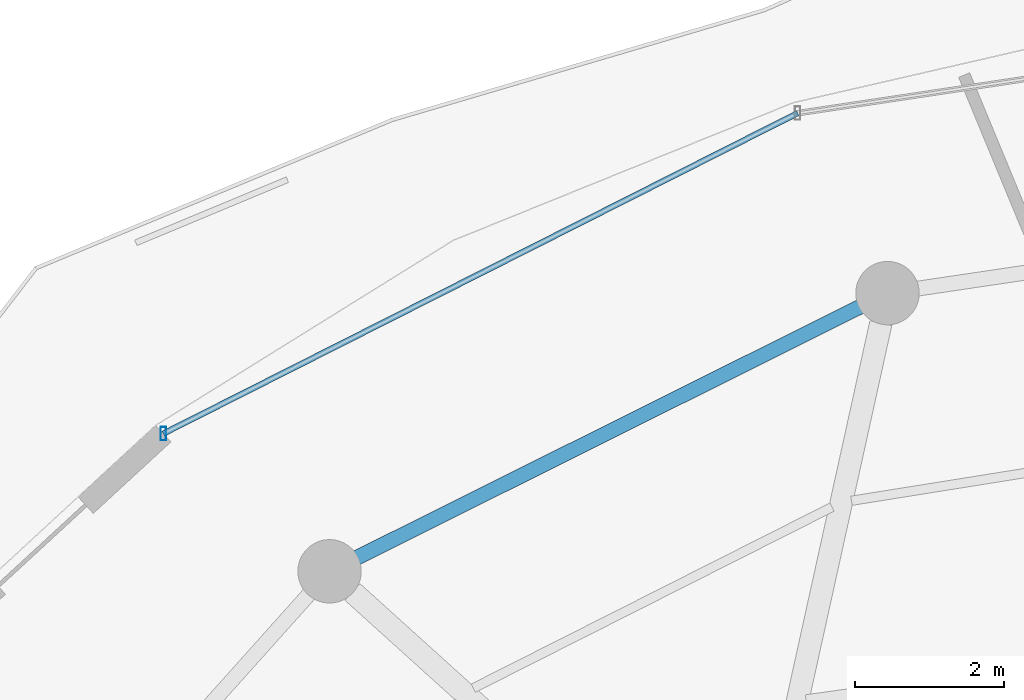
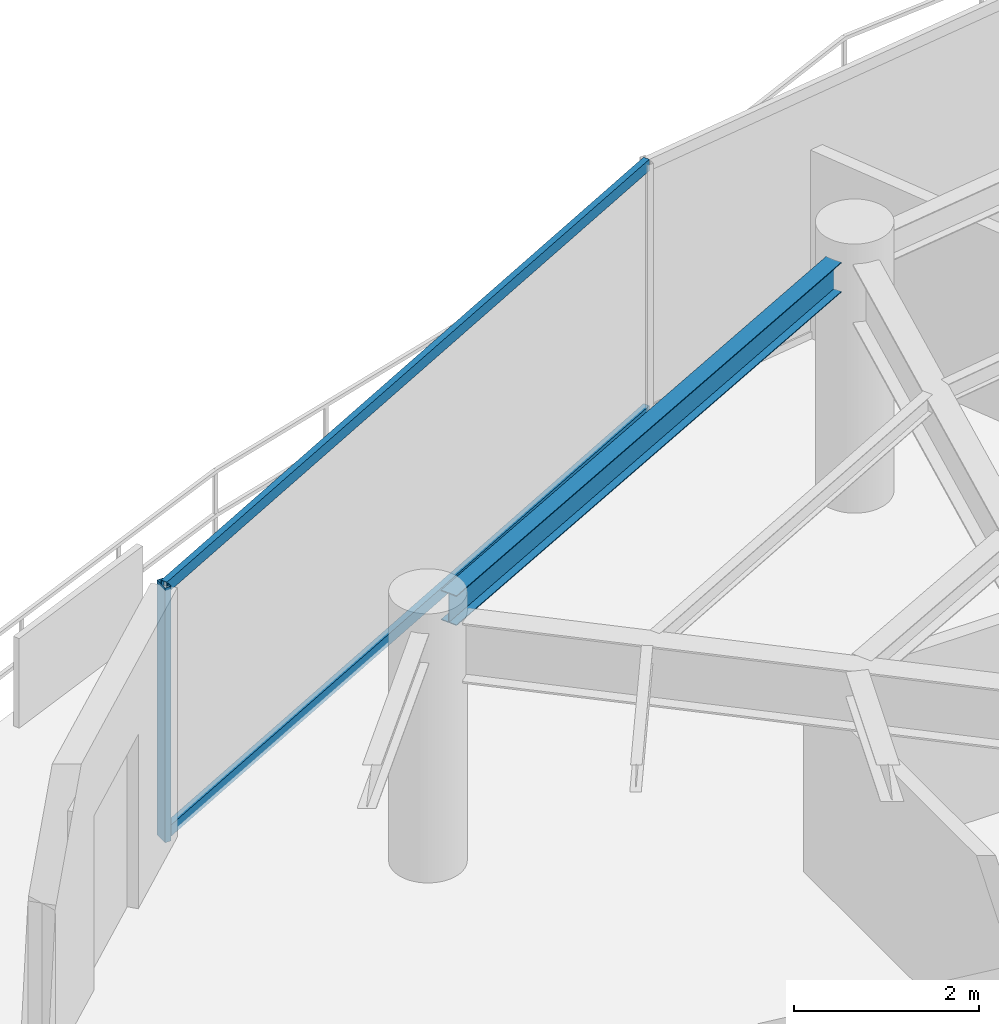
# One storey, part 15 of 29: 3 members, 1 beam, 1 element without a shape of its own.
"""IFC4 building model written with IfcOpenShell, lengths in metres."""

from ifc_helpers import new_model, si_unit, direction, frame, origin, origin_2d, place, context, subcontext, project, spatial, hollow_rectangle, i_section, extrude, material, material_profile, profile_set, type_object, element, aggregate, save


model = new_model("IFC4")

# Units and contexts
model_context = context("Model", 3, precision=1e-05, world=origin(), true_north=direction((0.0, 1.0)))
body_context = subcontext(model_context, "Body", "Model", "MODEL_VIEW")
ifc_project = project(units=[si_unit("LENGTHUNIT", "METRE"), si_unit("AREAUNIT", "SQUARE_METRE"), si_unit("VOLUMEUNIT", "CUBIC_METRE"), si_unit("PLANEANGLEUNIT", "RADIAN"), si_unit("MASSUNIT", "GRAM", prefix="KILO")], contexts=[model_context])

# Site, building, storey
site_placement = place(None, origin())
site = spatial("IfcSite", under=ifc_project, at=site_placement, CompositionType="ELEMENT")
building_placement = place(site_placement, origin())
building = spatial("IfcBuilding", under=site, at=building_placement, Name="Vorneva Point Tower", CompositionType="ELEMENT")
storey_placement = place(building_placement, frame((0.0, 0.0, 255.550048828125)))
storey = spatial("IfcBuildingStorey", under=building, at=storey_placement, Name="L69", CompositionType="ELEMENT", Elevation=255.550048828125)

# Beam
ifc_material_1 = material(Name="Steel S355", Category="steel")
ifc_material_profile_1 = material_profile(ifc_material_1, i_section(OverallWidth=0.198974609375, OverallDepth=0.39599609375, WebThickness=0.007080078125, FlangeThickness=0.010986328125, at=origin_2d()), Name="40B1")
ifc_profile_set_1 = profile_set([ifc_material_profile_1], Name="Steel S355")
beam_type = type_object("IfcBeamType", Name="BM-SPN-40B1", PredefinedType="SPANDREL", material=ifc_profile_set_1)
beam_placement = place(storey_placement, frame((28.812255859375, 41.707763671875, 3.092041015625), z_axis=(-0.894932011528, -0.446202526599, 0.0), x_axis=(0.446202526599, -0.894932011528, 0.0)))
element("IfcBeam", 1, at=beam_placement, inside=storey, type_object=beam_type, Name="L69 Perimeter Spandrel Ring Beam 06", PredefinedType="SPANDREL", context=body_context, shape_type="SweptSolid", body=[
    extrude(i_section(OverallWidth=0.198974609375, OverallDepth=0.39599609375, WebThickness=0.007080078125, FlangeThickness=0.010986328125, at=origin_2d()), origin(), (0.0, 0.0, 1.0), 7.535888671875),
])

# Curtain wall, members
ifc_material_2 = material(Name="Pale anodised aluminium", Category="aluminium")
curtain_wall_type = type_object("IfcCurtainWallType", Name="CW-RES-SYS", PredefinedType="NOTDEFINED", material=ifc_material_2)
curtain_wall_placement = place(storey_placement, origin())
curtain_wall = element("IfcCurtainWall", 2, at=curtain_wall_placement, inside=storey, type_object=curtain_wall_type, Name="L69 Unitised Curtain Wall CW-L69-R02", PredefinedType="NOTDEFINED")
ifc_material_profile_2 = material_profile(ifc_material_2, hollow_rectangle(XDim=0.074951171875, YDim=0.179931640625, WallThickness=0.00390625, at=origin_2d()), Name="AL-MUL 180x75x4")
ifc_profile_set_2 = profile_set([ifc_material_profile_2], Name="Pale anodised aluminium")
member_type_1 = type_object("IfcMemberType", Name="CW-MUL-180", PredefinedType="MULLION", material=ifc_profile_set_2)
member_1_placement = place(storey_placement, frame((19.473876953125, 40.0078125, -0.0400390625), z_axis=(0.0, 0.0, 1.0), x_axis=(1.0, 0.0, 0.0)))
member_1 = element("IfcMember", 3, at=member_1_placement, type_object=member_type_1, Name="CW-L69-R02 Mullion 05", PredefinedType="MULLION", context=body_context, shape_type="SweptSolid", body=[
    extrude(hollow_rectangle(XDim=0.074951171875, YDim=0.179931640625, WallThickness=0.00390625, at=origin_2d()), origin(), (0.0, 0.0, 1.0), 3.360107421875),
])
ifc_material_profile_3 = material_profile(ifc_material_2, hollow_rectangle(XDim=0.074951171875, YDim=0.14990234375, WallThickness=0.00390625, at=origin_2d()), Name="AL-TRN 150x75x4")
ifc_profile_set_3 = profile_set([ifc_material_profile_3], Name="Pale anodised aluminium")
member_type_2 = type_object("IfcMemberType", Name="CW-TRN-150", PredefinedType="USERDEFINED", material=ifc_profile_set_3)
member_2_placement = place(storey_placement, frame((27.9736328125, 44.302001953125, 0.02001953125), z_axis=(-0.892558185815, -0.450932239848, 0.0), x_axis=(0.450932239848, -0.892558185815, 0.0)))
member_2 = element("IfcMember", 4, at=member_2_placement, type_object=member_type_2, Name="CW-L69-R02 Transom 04.1", ObjectType="TRANSOM", PredefinedType="USERDEFINED", context=body_context, shape_type="SweptSolid", body=[
    extrude(hollow_rectangle(XDim=0.074951171875, YDim=0.14990234375, WallThickness=0.00390625, at=origin_2d()), origin(), (0.0, 0.0, 1.0), 9.52294921875),
])
member_3_placement = place(storey_placement, frame((27.9736328125, 44.302001953125, 3.27001953125), z_axis=(-0.892558185815, -0.450932239848, 0.0), x_axis=(0.450932239848, -0.892558185815, 0.0)))
member_3 = element("IfcMember", 5, at=member_3_placement, type_object=member_type_2, Name="CW-L69-R02 Transom 04.2", ObjectType="TRANSOM", PredefinedType="USERDEFINED", context=body_context, shape_type="SweptSolid", body=[
    extrude(hollow_rectangle(XDim=0.074951171875, YDim=0.14990234375, WallThickness=0.00390625, at=origin_2d()), origin(), (0.0, 0.0, 1.0), 9.52294921875),
])
aggregate(curtain_wall, [member_1, member_2, member_3])

save(model, "model.ifc")
